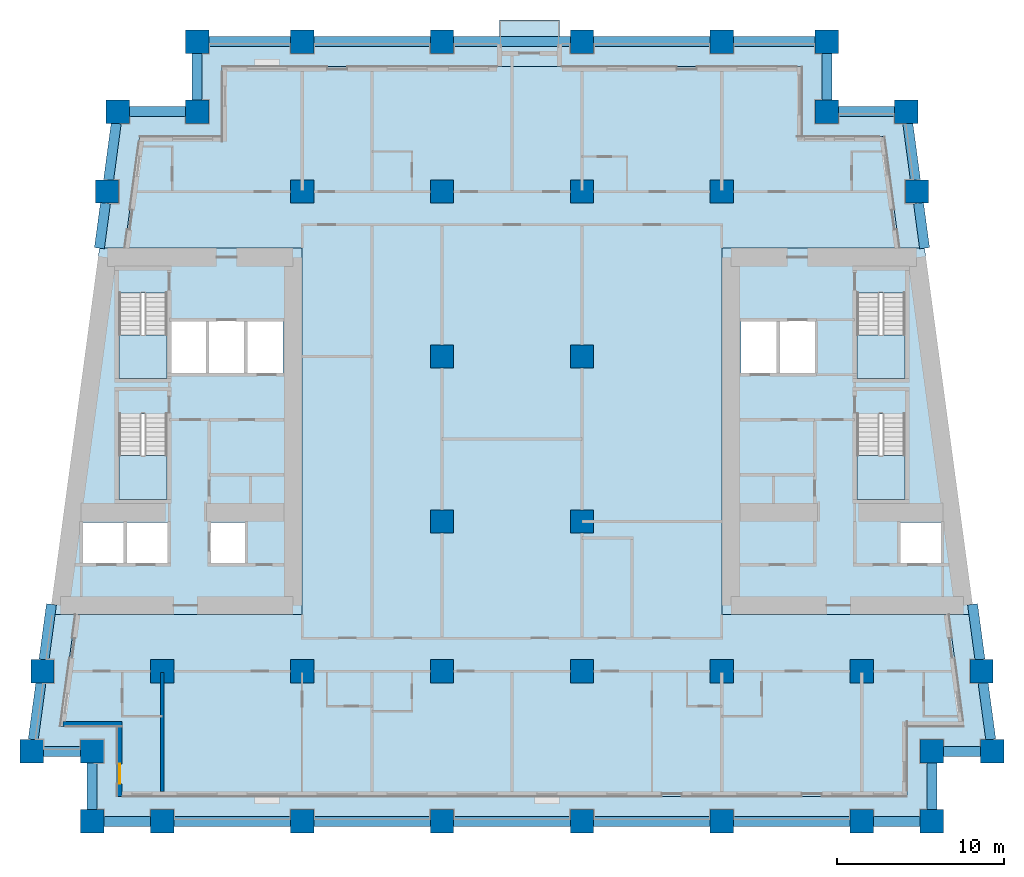
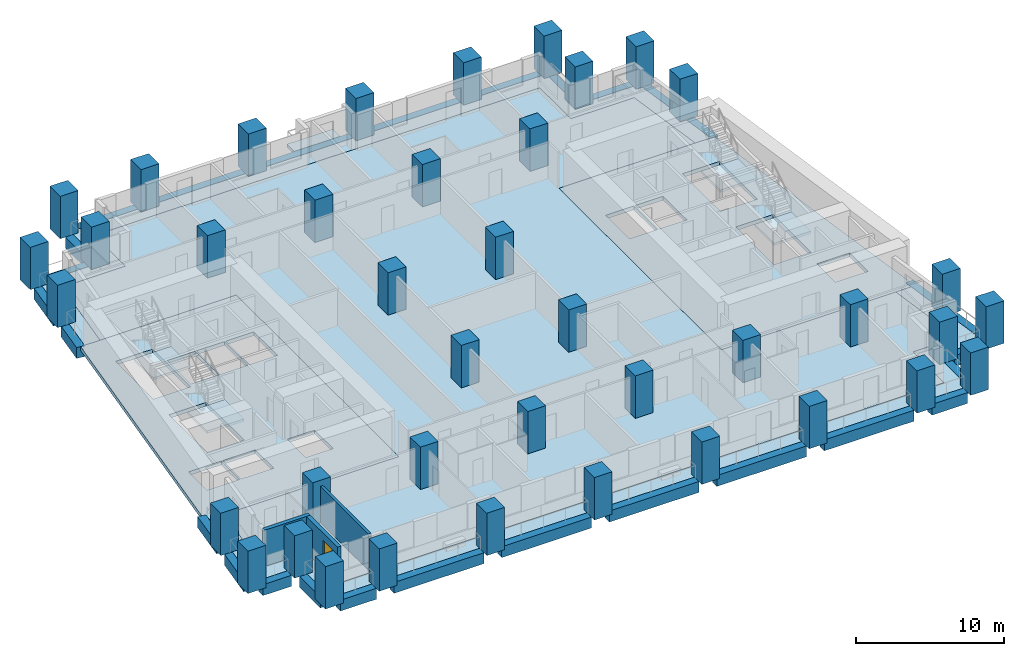
# One storey, part 1 of 12: 40 columns, 28 beams, 10 slabs, 3 walls, 1 door, 1 opening, 4 elements without a shape of their own.
"""IFC4 building model written with IfcOpenShell, lengths in metres."""

from ifc_helpers import new_model, si_unit, direction, frame, frame_2d, origin, origin_2d, place, context, subcontext, project, spatial, polyline, rectangle, outline, extrude, material, layer, layer_set, material_profile, profile_set, type_object, element, fill, aggregate, save


model = new_model("IFC4")

# Units and contexts
model_context = context("Model", 3, precision=1e-05, world=origin(), true_north=direction((0.0, 1.0)))
body_context = subcontext(model_context, "Body", "Model", "MODEL_VIEW")
ifc_project = project(units=[si_unit("LENGTHUNIT", "METRE"), si_unit("AREAUNIT", "SQUARE_METRE"), si_unit("VOLUMEUNIT", "CUBIC_METRE"), si_unit("PLANEANGLEUNIT", "RADIAN"), si_unit("MASSUNIT", "GRAM", prefix="KILO")], contexts=[model_context])

# Site, building, storey
site_placement = place(None, origin())
site = spatial("IfcSite", under=ifc_project, at=site_placement, CompositionType="ELEMENT")
building_placement = place(site_placement, origin())
building = spatial("IfcBuilding", under=site, at=building_placement, Name="Candeia Pilgrim Tower and Theatre", CompositionType="ELEMENT")
storey_placement = place(building_placement, frame((0.0, 0.0, 77.5)))
storey = spatial("IfcBuildingStorey", under=building, at=storey_placement, Name="L17", CompositionType="ELEMENT", Elevation=77.5)

# Columns
ifc_material_1 = material(Name="Concrete C80/95", Category="concrete")
ifc_material_profile_1 = material_profile(ifc_material_1, rectangle(XDim=1.39990234375, YDim=1.39990234375, at=origin_2d()))
ifc_profile_set_1 = profile_set([ifc_material_profile_1], Name="Concrete C80/95")
column_type = type_object("IfcColumnType", Name="RC 1400x1400 C80/95", PredefinedType="COLUMN", material=ifc_profile_set_1)
for number, where, z_axis, x_axis, name in (
    (1, (92.39990234375, 98.0, 0.0), (0.0, 0.0, 1.0), (1.0, 0.0, 0.0), "Column A1"),
    (2, (100.800048828125, 98.0, 0.0), (0.0, 0.0, 1.0), (1.0, 0.0, 0.0), "Column A2"),
    (3, (109.199951171875, 98.0, 0.0), (0.0, 0.0, 1.0), (1.0, 0.0, 0.0), "Column A3"),
    (4, (117.60009765625, 98.0, 0.0), (0.0, 0.0, 1.0), (1.0, 0.0, 0.0), "Column A4"),
    (5, (126.0, 98.0, 0.0), (0.0, 0.0, 1.0), (1.0, 0.0, 0.0), "Column A5"),
    (6, (134.39990234375, 98.0, 0.0), (0.0, 0.0, 1.0), (1.0, 0.0, 0.0), "Column A6"),
    (7, (88.199951171875, 98.0, 0.0), (0.0, 0.0, 1.0), (1.0, 0.0, 0.0), "Column AW"),
    (8, (138.60009765625, 98.0, 0.0), (0.0, 0.0, 1.0), (1.0, 0.0, 0.0), "Column AE"),
    (9, (88.199951171875, 102.199951171875, 0.0), (0.0, 0.0, 1.0), (1.0, 0.0, 0.0), "Column NSW"),
    (10, (138.60009765625, 102.199951171875, 0.0), (0.0, 0.0, 1.0), (1.0, 0.0, 0.0), "Column NSE"),
    (11, (94.5, 140.60009765625, 0.0), (0.0, 0.0, 1.0), (1.0, 0.0, 0.0), "Column NNW"),
    (12, (132.300048828125, 140.60009765625, 0.0), (0.0, 0.0, 1.0), (1.0, 0.0, 0.0), "Column NNE"),
    (13, (84.5654296875, 102.199951171875, 0.0), (0.0, 0.0, 1.0), (1.0, 0.0, 0.0), "Column LSW"),
    (14, (142.234619140625, 102.199951171875, 0.0), (0.0, 0.0, 1.0), (1.0, 0.0, 0.0), "Column LSE"),
    (15, (89.734619140625, 140.60009765625, 0.0), (0.0, 0.0, 1.0), (1.0, 0.0, 0.0), "Column LNW"),
    (16, (137.0654296875, 140.60009765625, 0.0), (0.0, 0.0, 1.0), (1.0, 0.0, 0.0), "Column LNE"),
    (17, (92.39990234375, 107.0, 0.0), (0.0, 0.0, 1.0), (1.0, 0.0, 0.0), "Column B1"),
    (18, (100.800048828125, 107.0, 0.0), (0.0, 0.0, 1.0), (1.0, 0.0, 0.0), "Column B2"),
    (19, (109.199951171875, 107.0, 0.0), (0.0, 0.0, 1.0), (1.0, 0.0, 0.0), "Column B3"),
    (20, (117.60009765625, 107.0, 0.0), (0.0, 0.0, 1.0), (1.0, 0.0, 0.0), "Column B4"),
    (21, (126.0, 107.0, 0.0), (0.0, 0.0, 1.0), (1.0, 0.0, 0.0), "Column B5"),
    (22, (134.39990234375, 107.0, 0.0), (0.0, 0.0, 1.0), (1.0, 0.0, 0.0), "Column B6"),
    (23, (85.21142578125, 107.0, 0.0), (0.0, 0.0, 1.0), (1.0, 0.0, 0.0), "Column BW"),
    (24, (141.58837890625, 107.0, 0.0), (0.0, 0.0, 1.0), (1.0, 0.0, 0.0), "Column BE"),
    (25, (109.199951171875, 116.0, 0.0), (0.0, 0.0, 1.0), (1.0, 0.0, 0.0), "Column C3"),
    (26, (117.60009765625, 116.0, 0.0), (0.0, 0.0, 1.0), (1.0, 0.0, 0.0), "Column C4"),
    (27, (109.199951171875, 125.89990234375, 0.0), (0.0, 0.0, 1.0), (1.0, 0.0, 0.0), "Column D3"),
    (28, (117.60009765625, 125.89990234375, 0.0), (0.0, 0.0, 1.0), (1.0, 0.0, 0.0), "Column D4"),
    (29, (100.800048828125, 135.800048828125, 0.0), (0.0, 0.0, 1.0), (1.0, 0.0, 0.0), "Column E2"),
    (30, (109.199951171875, 135.800048828125, 0.0), (0.0, 0.0, 1.0), (1.0, 0.0, 0.0), "Column E3"),
    (31, (117.60009765625, 135.800048828125, 0.0), (0.0, 0.0, 1.0), (1.0, 0.0, 0.0), "Column E4"),
    (32, (126.0, 135.800048828125, 0.0), (0.0, 0.0, 1.0), (1.0, 0.0, 0.0), "Column E5"),
    (33, (89.08837890625, 135.800048828125, 0.0), (0.0, 0.0, 1.0), (1.0, 0.0, 0.0), "Column EW"),
    (34, (137.71142578125, 135.800048828125, 0.0), (0.0, 0.0, 1.0), (1.0, 0.0, 0.0), "Column EE"),
    (35, (100.800048828125, 144.800048828125, 0.0), (0.0, 0.0, 1.0), (1.0, 0.0, 0.0), "Column F2"),
    (36, (109.199951171875, 144.800048828125, 0.0), (0.0, 0.0, 1.0), (1.0, 0.0, 0.0), "Column F3"),
    (37, (117.60009765625, 144.800048828125, 0.0), (0.0, 0.0, 1.0), (1.0, 0.0, 0.0), "Column F4"),
    (38, (126.0, 144.800048828125, 0.0), (0.0, 0.0, 1.0), (1.0, 0.0, 0.0), "Column F5"),
    (39, (94.5, 144.800048828125, 0.0), (0.0, 0.0, 1.0), (1.0, 0.0, 0.0), "Column FW"),
    (40, (132.300048828125, 144.800048828125, 0.0), (0.0, 0.0, 1.0), (1.0, 0.0, 0.0), "Column FE"),
):
    element("IfcColumn", number, at=place(storey_placement, frame(where, z_axis=z_axis, x_axis=x_axis)), inside=storey, type_object=column_type, Name=name, PredefinedType="COLUMN", context=body_context, shape_type="SweptSolid", body=[
        extrude(rectangle(XDim=1.39990234375, YDim=1.39990234375, at=origin_2d()), origin(), (0.0, 0.0, 1.0), 3.5),
    ])

# Beams
ifc_material_profile_2 = material_profile(ifc_material_1, rectangle(XDim=0.60009765625, YDim=0.89990234375, at=origin_2d()))
ifc_profile_set_2 = profile_set([ifc_material_profile_2], Name="Concrete C80/95")
beam_type = type_object("IfcBeamType", Name="RC 600x900 C80/95", PredefinedType="BEAM", material=ifc_profile_set_2)
beam_1_placement = place(storey_placement, frame((88.89990234375, 98.0, -0.449951171875), z_axis=(1.0, 0.0, 0.0), x_axis=(0.0, 1.0, 0.0)))
element("IfcBeam", 41, at=beam_1_placement, inside=storey, type_object=beam_type, Name="Spandrel beam L17-01", PredefinedType="BEAM", context=body_context, shape_type="SweptSolid", body=[
    extrude(rectangle(XDim=0.60009765625, YDim=0.89990234375, at=origin_2d()), origin(), (0.0, 0.0, 1.0), 2.800048828125),
])
for number, where, z_axis, x_axis, name in (
    (42, (93.10009765625, 98.0, -0.449951171875), (1.0, 0.0, 0.0), (0.0, 1.0, 0.0), "Spandrel beam L17-02"),
    (43, (101.5, 98.0, -0.449951171875), (1.0, 0.0, 0.0), (0.0, 1.0, 0.0), "Spandrel beam L17-03"),
    (44, (109.89990234375, 98.0, -0.449951171875), (1.0, 0.0, 0.0), (0.0, 1.0, 0.0), "Spandrel beam L17-04"),
    (45, (118.300048828125, 98.0, -0.449951171875), (1.0, 0.0, 0.0), (0.0, 1.0, 0.0), "Spandrel beam L17-05"),
    (46, (126.699951171875, 98.0, -0.449951171875), (1.0, 0.0, 0.0), (0.0, 1.0, 0.0), "Spandrel beam L17-06"),
):
    element("IfcBeam", number, at=place(storey_placement, frame(where, z_axis=z_axis, x_axis=x_axis)), inside=storey, type_object=beam_type, Name=name, PredefinedType="BEAM", context=body_context, shape_type="SweptSolid", body=[
        extrude(rectangle(XDim=0.60009765625, YDim=0.89990234375, at=origin_2d()), origin(), (0.0, 0.0, 1.0), 7.0),
    ])
beam_2_placement = place(storey_placement, frame((135.10009765625, 98.0, -0.449951171875), z_axis=(1.0, 0.0, 0.0), x_axis=(0.0, 1.0, 0.0)))
element("IfcBeam", 47, at=beam_2_placement, inside=storey, type_object=beam_type, Name="Spandrel beam L17-07", PredefinedType="BEAM", context=body_context, shape_type="SweptSolid", body=[
    extrude(rectangle(XDim=0.60009765625, YDim=0.89990234375, at=origin_2d()), origin(), (0.0, 0.0, 1.0), 2.7998046875),
])
beam_3_placement = place(storey_placement, frame((138.60009765625, 98.699951171875, -0.449951171875), z_axis=(0.0, 1.0, 0.0), x_axis=(-1.0, 0.0, 0.0)))
element("IfcBeam", 48, at=beam_3_placement, inside=storey, type_object=beam_type, Name="Spandrel beam L17-08", PredefinedType="BEAM", context=body_context, shape_type="SweptSolid", body=[
    extrude(rectangle(XDim=0.60009765625, YDim=0.89990234375, at=origin_2d()), origin(), (0.0, 0.0, 1.0), 2.800048828125),
])
beam_4_placement = place(storey_placement, frame((139.300048828125, 102.199951171875, -0.449951171875), z_axis=(1.0, 0.0, 0.0), x_axis=(0.0, 1.0, 0.0)))
element("IfcBeam", 49, at=beam_4_placement, inside=storey, type_object=beam_type, Name="Spandrel beam L17-09", PredefinedType="BEAM", context=body_context, shape_type="SweptSolid", body=[
    extrude(rectangle(XDim=0.60009765625, YDim=0.89990234375, at=origin_2d()), origin(), (0.0, 0.0, 1.0), 2.234619140625),
])
beam_5_placement = place(storey_placement, frame((142.140380859375, 102.89990234375, -0.449951171875), z_axis=(-0.133426797477, 0.991058671177, 0.0), x_axis=(-0.991058671177, -0.133426797477, 0.0)))
element("IfcBeam", 50, at=beam_5_placement, inside=storey, type_object=beam_type, Name="Spandrel beam L17-10", PredefinedType="BEAM", context=body_context, shape_type="SweptSolid", body=[
    extrude(rectangle(XDim=0.60009765625, YDim=0.89990234375, at=origin_2d()), origin(), (0.0, 0.0, 1.0), 3.430908203125),
])
beam_6_placement = place(storey_placement, frame((141.494140625, 107.699951171875, -0.449951171875), z_axis=(-0.13337488337, 0.991065659019, 0.0), x_axis=(-0.991065659019, -0.13337488337, 0.0)))
element("IfcBeam", 51, at=beam_6_placement, inside=storey, type_object=beam_type, Name="Spandrel beam L17-11", PredefinedType="BEAM", context=body_context, shape_type="SweptSolid", body=[
    extrude(rectangle(XDim=0.60009765625, YDim=0.89990234375, at=origin_2d()), origin(), (0.0, 0.0, 1.0), 3.353515625),
])
beam_7_placement = place(storey_placement, frame((138.169189453125, 132.39990234375, -0.449951171875), z_axis=(-0.133425552527, 0.991058838784, 0.0), x_axis=(-0.991058838784, -0.133425552527, 0.0)))
element("IfcBeam", 52, at=beam_7_placement, inside=storey, type_object=beam_type, Name="Spandrel beam L17-12", PredefinedType="BEAM", context=body_context, shape_type="SweptSolid", body=[
    extrude(rectangle(XDim=0.60009765625, YDim=0.89990234375, at=origin_2d()), origin(), (0.0, 0.0, 1.0), 2.724609375),
])
beam_8_placement = place(storey_placement, frame((137.6171875, 136.5, -0.449951171875), z_axis=(-0.13336630817, 0.991066813008, 0.0), x_axis=(-0.991066813008, -0.13336630817, 0.0)))
element("IfcBeam", 53, at=beam_8_placement, inside=storey, type_object=beam_type, Name="Spandrel beam L17-13", PredefinedType="BEAM", context=body_context, shape_type="SweptSolid", body=[
    extrude(rectangle(XDim=0.60009765625, YDim=0.89990234375, at=origin_2d()), origin(), (0.0, 0.0, 1.0), 3.4306640625),
])
beam_9_placement = place(storey_placement, frame((136.365478515625, 140.60009765625, -0.449951171875), z_axis=(-1.0, 0.0, 0.0), x_axis=(0.0, -1.0, 0.0)))
element("IfcBeam", 54, at=beam_9_placement, inside=storey, type_object=beam_type, Name="Spandrel beam L17-14", PredefinedType="BEAM", context=body_context, shape_type="SweptSolid", body=[
    extrude(rectangle(XDim=0.60009765625, YDim=0.89990234375, at=origin_2d()), origin(), (0.0, 0.0, 1.0), 3.365478515625),
])
beam_10_placement = place(storey_placement, frame((132.300048828125, 141.300048828125, -0.449951171875), z_axis=(0.0, 1.0, 0.0), x_axis=(-1.0, 0.0, 0.0)))
element("IfcBeam", 55, at=beam_10_placement, inside=storey, type_object=beam_type, Name="Spandrel beam L17-15", PredefinedType="BEAM", context=body_context, shape_type="SweptSolid", body=[
    extrude(rectangle(XDim=0.60009765625, YDim=0.89990234375, at=origin_2d()), origin(), (0.0, 0.0, 1.0), 2.800048828125),
])
beam_11_placement = place(storey_placement, frame((131.60009765625, 144.800048828125, -0.449951171875), z_axis=(-1.0, 0.0, 0.0), x_axis=(0.0, -1.0, 0.0)))
element("IfcBeam", 56, at=beam_11_placement, inside=storey, type_object=beam_type, Name="Spandrel beam L17-16", PredefinedType="BEAM", context=body_context, shape_type="SweptSolid", body=[
    extrude(rectangle(XDim=0.60009765625, YDim=0.89990234375, at=origin_2d()), origin(), (0.0, 0.0, 1.0), 4.900146484375),
])
for number, where, z_axis, x_axis, name in (
    (57, (125.300048828125, 144.800048828125, -0.449951171875), (-1.0, 0.0, 0.0), (0.0, -1.0, 0.0), "Spandrel beam L17-17"),
    (58, (116.89990234375, 144.800048828125, -0.449951171875), (-1.0, 0.0, 0.0), (0.0, -1.0, 0.0), "Spandrel beam L17-18"),
    (59, (108.5, 144.800048828125, -0.449951171875), (-1.0, 0.0, 0.0), (0.0, -1.0, 0.0), "Spandrel beam L17-19"),
):
    element("IfcBeam", number, at=place(storey_placement, frame(where, z_axis=z_axis, x_axis=x_axis)), inside=storey, type_object=beam_type, Name=name, PredefinedType="BEAM", context=body_context, shape_type="SweptSolid", body=[
        extrude(rectangle(XDim=0.60009765625, YDim=0.89990234375, at=origin_2d()), origin(), (0.0, 0.0, 1.0), 7.0),
    ])
beam_12_placement = place(storey_placement, frame((100.10009765625, 144.800048828125, -0.449951171875), z_axis=(-1.0, 0.0, 0.0), x_axis=(0.0, -1.0, 0.0)))
element("IfcBeam", 60, at=beam_12_placement, inside=storey, type_object=beam_type, Name="Spandrel beam L17-20", PredefinedType="BEAM", context=body_context, shape_type="SweptSolid", body=[
    extrude(rectangle(XDim=0.60009765625, YDim=0.89990234375, at=origin_2d()), origin(), (0.0, 0.0, 1.0), 4.900146484375),
])
beam_13_placement = place(storey_placement, frame((94.5, 144.10009765625, -0.449951171875), z_axis=(0.0, -1.0, 0.0), x_axis=(1.0, 0.0, 0.0)))
element("IfcBeam", 61, at=beam_13_placement, inside=storey, type_object=beam_type, Name="Spandrel beam L17-21", PredefinedType="BEAM", context=body_context, shape_type="SweptSolid", body=[
    extrude(rectangle(XDim=0.60009765625, YDim=0.89990234375, at=origin_2d()), origin(), (0.0, 0.0, 1.0), 2.800048828125),
])
beam_14_placement = place(storey_placement, frame((93.800048828125, 140.60009765625, -0.449951171875), z_axis=(-1.0, 0.0, 0.0), x_axis=(0.0, -1.0, 0.0)))
element("IfcBeam", 62, at=beam_14_placement, inside=storey, type_object=beam_type, Name="Spandrel beam L17-22", PredefinedType="BEAM", context=body_context, shape_type="SweptSolid", body=[
    extrude(rectangle(XDim=0.60009765625, YDim=0.89990234375, at=origin_2d()), origin(), (0.0, 0.0, 1.0), 3.365478515625),
])
beam_15_placement = place(storey_placement, frame((89.640380859375, 139.89990234375, -0.449951171875), z_axis=(-0.133436208017, -0.991057404185, 0.0), x_axis=(0.991057404185, -0.133436208017, 0.0)))
element("IfcBeam", 63, at=beam_15_placement, inside=storey, type_object=beam_type, Name="Spandrel beam L17-23", PredefinedType="BEAM", context=body_context, shape_type="SweptSolid", body=[
    extrude(rectangle(XDim=0.60009765625, YDim=0.89990234375, at=origin_2d()), origin(), (0.0, 0.0, 1.0), 3.4306640625),
])
beam_16_placement = place(storey_placement, frame((88.994140625, 135.10009765625, -0.449951171875), z_axis=(-0.133337538686, -0.991070684047, 0.0), x_axis=(0.991070684047, -0.133337538686, 0.0)))
element("IfcBeam", 64, at=beam_16_placement, inside=storey, type_object=beam_type, Name="Spandrel beam L17-24", PredefinedType="BEAM", context=body_context, shape_type="SweptSolid", body=[
    extrude(rectangle(XDim=0.60009765625, YDim=0.89990234375, at=origin_2d()), origin(), (0.0, 0.0, 1.0), 2.724609375),
])
beam_17_placement = place(storey_placement, frame((85.753173828125, 111.0234375, -0.449951171875), z_axis=(-0.133446390132, -0.991056033209, 0.0), x_axis=(0.991056033209, -0.133446390132, 0.0)))
element("IfcBeam", 65, at=beam_17_placement, inside=storey, type_object=beam_type, Name="Spandrel beam L17-25", PredefinedType="BEAM", context=body_context, shape_type="SweptSolid", body=[
    extrude(rectangle(XDim=0.60009765625, YDim=0.89990234375, at=origin_2d()), origin(), (0.0, 0.0, 1.0), 3.353515625),
])
beam_18_placement = place(storey_placement, frame((85.1171875, 106.300048828125, -0.449951171875), z_axis=(-0.133356902381, -0.991068078685, 0.0), x_axis=(0.991068078685, -0.133356902381, 0.0)))
element("IfcBeam", 66, at=beam_18_placement, inside=storey, type_object=beam_type, Name="Spandrel beam L17-26", PredefinedType="BEAM", context=body_context, shape_type="SweptSolid", body=[
    extrude(rectangle(XDim=0.60009765625, YDim=0.89990234375, at=origin_2d()), origin(), (0.0, 0.0, 1.0), 3.430908203125),
])
beam_19_placement = place(storey_placement, frame((85.265380859375, 102.199951171875, -0.449951171875), z_axis=(1.0, 0.0, 0.0), x_axis=(0.0, 1.0, 0.0)))
element("IfcBeam", 67, at=beam_19_placement, inside=storey, type_object=beam_type, Name="Spandrel beam L17-27", PredefinedType="BEAM", context=body_context, shape_type="SweptSolid", body=[
    extrude(rectangle(XDim=0.60009765625, YDim=0.89990234375, at=origin_2d()), origin(), (0.0, 0.0, 1.0), 2.234619140625),
])
beam_20_placement = place(storey_placement, frame((88.199951171875, 101.5, -0.449951171875), z_axis=(0.0, -1.0, 0.0), x_axis=(1.0, 0.0, 0.0)))
element("IfcBeam", 68, at=beam_20_placement, inside=storey, type_object=beam_type, Name="Spandrel beam L17-28", PredefinedType="BEAM", context=body_context, shape_type="SweptSolid", body=[
    extrude(rectangle(XDim=0.60009765625, YDim=0.89990234375, at=origin_2d()), origin(), (0.0, 0.0, 1.0), 2.800048828125),
])

# Slabs
ifc_material_2 = material(Name="Concrete C40/50", Category="concrete")
ifc_layer_1 = layer(ifc_material_2, 0.25)
ifc_layer_set_1 = layer_set([ifc_layer_1], Name="BK1 balcony slab 250")
slab_type_1 = type_object("IfcSlabType", Name="BK1 balcony slab 250", PredefinedType="USERDEFINED", material=ifc_layer_set_1)
slab_1_placement = place(storey_placement, frame((0.0, 0.0, -0.25)))
element("IfcSlab", 69, at=slab_1_placement, inside=storey, type_object=slab_type_1, Name="Balcony L17", ObjectType="BALCONY", PredefinedType="USERDEFINED", context=body_context, shape_type="SweptSolid", body=[
    extrude(outline(polyline([(112.64990234375, 144.5), (116.25, 144.5), (116.25, 146.10009765625), (112.64990234375, 146.10009765625), (112.64990234375, 144.5)])), origin(), (0.0, 0.0, 1.0), 0.25),
])
ifc_material_3 = material(Name="Concrete C60/75", Category="concrete")
ifc_layer_2 = layer(ifc_material_3, 0.320068359375)
ifc_layer_set_2 = layer_set([ifc_layer_2], Name="FS-CORE 320 core floor")
slab_type_2 = type_object("IfcSlabType", Name="FS-CORE 320 core floor", PredefinedType="FLOOR", material=ifc_layer_set_2)
slab_2_placement = place(storey_placement, frame((0.0, 0.0, -0.320068359375)))
element("IfcSlab", 70, at=slab_2_placement, inside=storey, type_object=slab_type_2, Name="Core floor W L17", PredefinedType="FLOOR", context=body_context, shape_type="SweptSolid", body=[
    extrude(outline(polyline([(100.800048828125, 132.39990234375), (100.800048828125, 110.39990234375), (85.669189453125, 110.39990234375), (88.630859375, 132.39990234375), (100.800048828125, 132.39990234375)]), holes=[polyline([(97.458984375, 128.050048828125), (97.458984375, 124.85009765625), (99.64990234375, 124.85009765625), (99.64990234375, 128.050048828125), (97.458984375, 128.050048828125)]), polyline([(95.277099609375, 115.949951171875), (95.277099609375, 113.449951171875), (97.41357421875, 113.449951171875), (97.41357421875, 115.949951171875), (95.277099609375, 115.949951171875)]), polyline([(95.16796875, 128.050048828125), (95.16796875, 124.85009765625), (97.35888671875, 124.85009765625), (97.35888671875, 128.050048828125), (95.16796875, 128.050048828125)]), polyline([(92.876953125, 128.050048828125), (92.876953125, 124.85009765625), (95.068115234375, 124.85009765625), (95.068115234375, 128.050048828125), (92.876953125, 128.050048828125)]), polyline([(90.228515625, 115.949951171875), (90.228515625, 113.449951171875), (92.777099609375, 113.449951171875), (92.777099609375, 115.949951171875), (90.228515625, 115.949951171875)]), polyline([(89.802001953125, 122.455078125), (89.802001953125, 117.324951171875), (92.701904296875, 117.324951171875), (92.701904296875, 122.455078125), (89.802001953125, 122.455078125)]), polyline([(89.802001953125, 129.705078125), (89.802001953125, 124.574951171875), (92.701904296875, 124.574951171875), (92.701904296875, 129.705078125), (89.802001953125, 129.705078125)]), polyline([(87.580078125, 115.949951171875), (87.580078125, 113.449951171875), (90.12841796875, 113.449951171875), (90.12841796875, 115.949951171875), (87.580078125, 115.949951171875)])]), origin(), (0.0, 0.0, 1.0), 0.320068359375),
])
slab_3_placement = place(storey_placement, frame((0.0, 0.0, -0.320068359375)))
element("IfcSlab", 71, at=slab_3_placement, inside=storey, type_object=slab_type_2, Name="Core floor E L17", PredefinedType="FLOOR", context=body_context, shape_type="SweptSolid", body=[
    extrude(outline(polyline([(138.169189453125, 132.39990234375), (141.130859375, 110.39990234375), (126.0, 110.39990234375), (126.0, 132.39990234375), (138.169189453125, 132.39990234375)]), holes=[polyline([(136.67138671875, 115.949951171875), (136.67138671875, 113.449951171875), (139.219970703125, 113.449951171875), (139.219970703125, 115.949951171875), (136.67138671875, 115.949951171875)]), polyline([(134.097900390625, 117.324951171875), (136.998046875, 117.324951171875), (136.998046875, 122.455078125), (134.097900390625, 122.455078125), (134.097900390625, 117.324951171875)]), polyline([(134.097900390625, 129.705078125), (134.097900390625, 124.574951171875), (136.998046875, 124.574951171875), (136.998046875, 129.705078125), (134.097900390625, 129.705078125)]), polyline([(131.632080078125, 128.050048828125), (129.44091796875, 128.050048828125), (129.44091796875, 124.85009765625), (131.632080078125, 124.85009765625), (131.632080078125, 128.050048828125)]), polyline([(127.14990234375, 128.050048828125), (127.14990234375, 124.85009765625), (129.341064453125, 124.85009765625), (129.341064453125, 128.050048828125), (127.14990234375, 128.050048828125)])]), origin(), (0.0, 0.0, 1.0), 0.320068359375),
])
ifc_material_4 = material(Name="Concrete C50/60", Category="concrete")
ifc_layer_3 = layer(ifc_material_4, 0.320068359375)
ifc_layer_set_3 = layer_set([ifc_layer_3], Name="Floor slab 320 C50/60")
slab_type_3 = type_object("IfcSlabType", Name="Floor slab 320 C50/60", PredefinedType="FLOOR", material=ifc_layer_set_3)
slab_4_placement = place(storey_placement, frame((0.0, 0.0, -0.320068359375)))
element("IfcSlab", 72, at=slab_4_placement, inside=storey, type_object=slab_type_3, Name="Floor slab L17", PredefinedType="FLOOR", context=body_context, shape_type="SweptSolid", body=[
    extrude(outline(polyline([(96.0, 139.10009765625), (96.0, 143.300048828125), (130.800048828125, 143.300048828125), (130.800048828125, 139.10009765625), (135.753662109375, 139.10009765625), (136.65576171875, 132.39990234375), (126.0, 132.39990234375), (126.0, 110.39990234375), (139.6171875, 110.39990234375), (140.51904296875, 103.699951171875), (137.10009765625, 103.699951171875), (137.10009765625, 99.5), (89.699951171875, 99.5), (89.699951171875, 103.699951171875), (86.28076171875, 103.699951171875), (87.182861328125, 110.39990234375), (100.800048828125, 110.39990234375), (100.800048828125, 132.39990234375), (90.144287109375, 132.39990234375), (91.046142578125, 139.10009765625), (96.0, 139.10009765625)])), origin(), (0.0, 0.0, 1.0), 0.320068359375),
])
ifc_layer_4 = layer(ifc_material_2, 0.25)
ifc_layer_set_4 = layer_set([ifc_layer_4], Name="Loggia slab 250 C40/50")
slab_type_4 = type_object("IfcSlabType", Name="Loggia slab 250 C40/50", PredefinedType="FLOOR", material=ifc_layer_set_4)
slab_5_placement = place(storey_placement, frame((0.0, 0.0, -0.25)))
element("IfcSlab", 73, at=slab_5_placement, inside=storey, type_object=slab_type_4, Name="Loggia slab L17 1", PredefinedType="FLOOR", context=body_context, shape_type="SweptSolid", body=[
    extrude(outline(polyline([(87.182861328125, 110.39990234375), (86.28076171875, 103.699951171875), (89.699951171875, 103.699951171875), (89.699951171875, 99.5), (137.10009765625, 99.5), (137.10009765625, 103.699951171875), (140.51904296875, 103.699951171875), (139.6171875, 110.39990234375), (140.828125, 110.39990234375), (141.8916015625, 102.5), (138.300048828125, 102.5), (138.300048828125, 98.300048828125), (88.5, 98.300048828125), (88.5, 102.5), (84.908447265625, 102.5), (85.971923828125, 110.39990234375), (87.182861328125, 110.39990234375)])), origin(), (0.0, 0.0, 1.0), 0.25),
])
slab_6_placement = place(storey_placement, frame((0.0, 0.0, -0.25)))
element("IfcSlab", 74, at=slab_6_placement, inside=storey, type_object=slab_type_4, Name="Loggia slab L17 2", PredefinedType="FLOOR", context=body_context, shape_type="SweptSolid", body=[
    extrude(outline(polyline([(136.65576171875, 132.39990234375), (135.753662109375, 139.10009765625), (130.800048828125, 139.10009765625), (130.800048828125, 143.300048828125), (96.0, 143.300048828125), (96.0, 139.10009765625), (91.046142578125, 139.10009765625), (90.144287109375, 132.39990234375), (88.93359375, 132.39990234375), (89.996826171875, 140.300048828125), (94.800048828125, 140.300048828125), (94.800048828125, 144.5), (132.0, 144.5), (132.0, 140.300048828125), (136.802978515625, 140.300048828125), (137.866455078125, 132.39990234375), (136.65576171875, 132.39990234375)])), origin(), (0.0, 0.0, 1.0), 0.25),
])

# Stair, slab
stair_type = type_object("IfcStairType", Name="ST-TWR dog-leg escape stair", PredefinedType="HALF_TURN_STAIR", material=ifc_material_2)
stair_1_placement = place(storey_placement, origin())
stair_1 = element("IfcStair", 75, at=stair_1_placement, inside=storey, type_object=stair_type, Name="L17 Escape stair ST1", PredefinedType="HALF_TURN_STAIR")
ifc_layer_5 = layer(ifc_material_2, 0.199951171875)
ifc_layer_set_5 = layer_set([ifc_layer_5], Name="SL-LANDING stair landing")
slab_type_5 = type_object("IfcSlabType", Name="SL-LANDING stair landing", PredefinedType="LANDING", material=ifc_layer_set_5)
slab_7_placement = place(storey_placement, frame((0.0, 0.0, 1.550048828125)))
slab_7 = element("IfcSlab", 76, at=slab_7_placement, type_object=slab_type_5, Name="ST1 landing 1", PredefinedType="LANDING", context=body_context, shape_type="SweptSolid", body=[
    extrude(outline(polyline([(89.802001953125, 119.955078125), (89.802001953125, 117.324951171875), (92.701904296875, 117.324951171875), (92.701904296875, 119.955078125), (89.802001953125, 119.955078125)])), origin(), (0.0, 0.0, 1.0), 0.199951171875),
])
aggregate(stair_1, [slab_7])

stair_2_placement = place(storey_placement, origin())
stair_2 = element("IfcStair", 77, at=stair_2_placement, inside=storey, type_object=stair_type, Name="L17 Escape stair ST2", PredefinedType="HALF_TURN_STAIR")
slab_8_placement = place(storey_placement, frame((0.0, 0.0, 1.550048828125)))
slab_8 = element("IfcSlab", 78, at=slab_8_placement, type_object=slab_type_5, Name="ST2 landing 1", PredefinedType="LANDING", context=body_context, shape_type="SweptSolid", body=[
    extrude(outline(polyline([(89.802001953125, 127.205078125), (89.802001953125, 124.574951171875), (92.701904296875, 124.574951171875), (92.701904296875, 127.205078125), (89.802001953125, 127.205078125)])), origin(), (0.0, 0.0, 1.0), 0.199951171875),
])
aggregate(stair_2, [slab_8])

stair_3_placement = place(storey_placement, origin())
stair_3 = element("IfcStair", 79, at=stair_3_placement, inside=storey, type_object=stair_type, Name="L17 Escape stair ST3", PredefinedType="HALF_TURN_STAIR")
slab_9_placement = place(storey_placement, frame((0.0, 0.0, 1.550048828125)))
slab_9 = element("IfcSlab", 80, at=slab_9_placement, type_object=slab_type_5, Name="ST3 landing 1", PredefinedType="LANDING", context=body_context, shape_type="SweptSolid", body=[
    extrude(outline(polyline([(134.097900390625, 119.955078125), (134.097900390625, 117.324951171875), (136.998046875, 117.324951171875), (136.998046875, 119.955078125), (134.097900390625, 119.955078125)])), origin(), (0.0, 0.0, 1.0), 0.199951171875),
])
aggregate(stair_3, [slab_9])

stair_4_placement = place(storey_placement, origin())
stair_4 = element("IfcStair", 81, at=stair_4_placement, inside=storey, type_object=stair_type, Name="L17 Escape stair ST4", PredefinedType="HALF_TURN_STAIR")
slab_10_placement = place(storey_placement, frame((0.0, 0.0, 1.550048828125)))
slab_10 = element("IfcSlab", 82, at=slab_10_placement, type_object=slab_type_5, Name="ST4 landing 1", PredefinedType="LANDING", context=body_context, shape_type="SweptSolid", body=[
    extrude(outline(polyline([(134.097900390625, 127.205078125), (134.097900390625, 124.574951171875), (136.998046875, 124.574951171875), (136.998046875, 127.205078125), (134.097900390625, 127.205078125)])), origin(), (0.0, 0.0, 1.0), 0.199951171875),
])
aggregate(stair_4, [slab_10])

# Wall
ifc_material_5 = material(Name="Ceramic block masonry", Category="masonry")
ifc_layer_6 = layer(ifc_material_5, 0.300048828125)
ifc_layer_set_6 = layer_set([ifc_layer_6], Name="EW1 glazing-line wall 300")
wall_type_1 = type_object("IfcWallType", Name="EW1 glazing-line wall 300", PredefinedType="SOLIDWALL", material=ifc_layer_set_6)
wall_1_placement = place(storey_placement, frame((86.452392578125, 103.85009765625, 0.0), z_axis=(0.0, 0.0, 1.0), x_axis=(1.0, 0.0, 0.0)))
element("IfcWall", 83, at=wall_1_placement, inside=storey, type_object=wall_type_1, Name="External wall L17-10.0", PredefinedType="SOLIDWALL", context=body_context, shape_type="SweptSolid", body=[
    extrude(rectangle(XDim=3.547607421875, YDim=0.300048828125, at=frame_2d((1.77392578125, 0.0))), origin(), (0.0, 0.0, 1.0), 3.0),
])

# Wall, opening, door
wall_2_placement = place(storey_placement, frame((89.85009765625, 103.85009765625, 0.0), z_axis=(0.0, 0.0, 1.0), x_axis=(0.0, -1.0, 0.0)))
wall_2 = element("IfcWall", 84, at=wall_2_placement, inside=storey, type_object=wall_type_1, Name="External wall L17-11.0", PredefinedType="SOLIDWALL", context=body_context, shape_type="SweptSolid", body=[
    extrude(rectangle(XDim=4.35009765625, YDim=0.300048828125, at=frame_2d((2.175048828125, 0.0))), origin(), (0.0, 0.0, 1.0), 3.0),
])
opening_placement = place(wall_2_placement, frame((2.39990234375, 0.0, 0.0)))
opening = element("IfcOpeningElement", 85, at=opening_placement, cuts=wall_2, Name="Opening L17-ED193", PredefinedType="OPENING", context=body_context, shape_type="SweptSolid", body=[
    extrude(rectangle(XDim=1.199951171875, YDim=2.39990234375, at=frame_2d((0.60009765625, 1.199951171875))), frame((0.0, 0.16015625, 0.0), z_axis=(0.0, -1.0, 0.0), x_axis=(1.0, 0.0, 0.0)), (0.0, 0.0, 1.0), 0.320068359375),
])
ifc_material_6 = material(Name="Aluminium framed glazed door", Category="aluminium")
door_type = type_object("IfcDoorType", Name="Loggia door 1200x2400", OperationType="DOUBLE_DOOR_SINGLE_SWING", PredefinedType="DOOR", material=ifc_material_6)
door_placement = place(opening_placement, origin())
door = element("IfcDoor", 86, at=door_placement, inside=storey, type_object=door_type, Name="Loggia door L17-ED193", OperationType="DOUBLE_DOOR_SINGLE_SWING", OverallHeight=2.39990234375, OverallWidth=1.199951171875, PredefinedType="DOOR", context=body_context, shape_type="SweptSolid", body=[
    extrude(rectangle(XDim=1.199951171875, YDim=2.39990234375, at=frame_2d((0.60009765625, 1.199951171875))), frame((0.0, 0.02490234375, 0.0), z_axis=(0.0, -1.0, 0.0), x_axis=(1.0, 0.0, 0.0)), (0.0, 0.0, 1.0), 0.050048828125),
])
fill(opening, door)

# Wall
ifc_material_7 = material(Name="Gypsum board partition on steel studs", Category="steel")
ifc_layer_7 = layer(ifc_material_7, 0.199951171875)
ifc_layer_set_7 = layer_set([ifc_layer_7], Name="PW-200 party wall")
wall_type_2 = type_object("IfcWallType", Name="PW-200 party wall", PredefinedType="PARTITIONING", material=ifc_layer_set_7)
wall_3_placement = place(storey_placement, frame((92.39990234375, 99.7900390625, 0.0), z_axis=(0.0, 0.0, 1.0), x_axis=(0.0, 1.0, 0.0)))
element("IfcWall", 87, at=wall_3_placement, inside=storey, type_object=wall_type_2, Name="Party wall L17-049", PredefinedType="PARTITIONING", context=body_context, shape_type="SweptSolid", body=[
    extrude(rectangle(XDim=7.135009765625, YDim=0.199951171875, at=frame_2d((3.5673828125, 0.0))), origin(), (0.0, 0.0, 1.0), 3.0),
])

save(model, "model.ifc")
